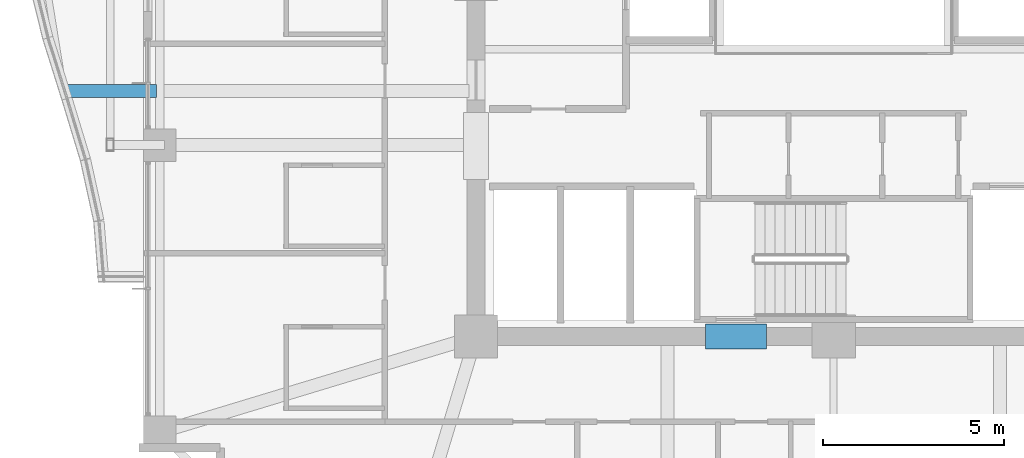
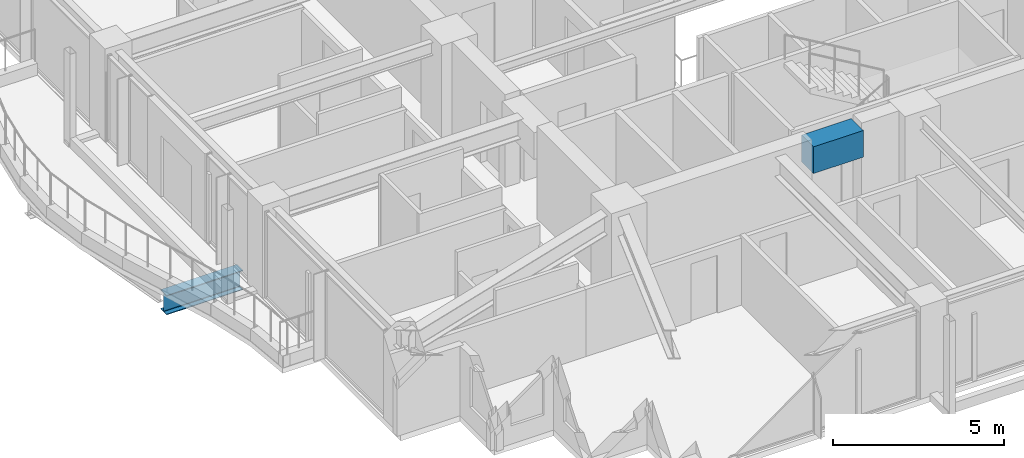
# One storey, part 8 of 37: 2 beams.
"""IFC4 building model written with IfcOpenShell, lengths in metres."""

from ifc_helpers import new_model, si_unit, direction, frame, origin, origin_2d, place, context, subcontext, project, spatial, rectangle, i_section, extrude, material, material_profile, profile_set, type_object, element, save


model = new_model("IFC4")

# Units and contexts
model_context = context("Model", 3, precision=1e-05, world=origin(), true_north=direction((0.0, 1.0)))
body_context = subcontext(model_context, "Body", "Model", "MODEL_VIEW")
ifc_project = project(units=[si_unit("LENGTHUNIT", "METRE"), si_unit("AREAUNIT", "SQUARE_METRE"), si_unit("VOLUMEUNIT", "CUBIC_METRE"), si_unit("PLANEANGLEUNIT", "RADIAN"), si_unit("MASSUNIT", "GRAM", prefix="KILO")], contexts=[model_context])

# Site, building, storey
site_placement = place(None, origin())
site = spatial("IfcSite", under=ifc_project, at=site_placement, CompositionType="ELEMENT")
building_placement = place(site_placement, origin())
building = spatial("IfcBuilding", under=site, at=building_placement, Name="Kolvaren Belvedere", CompositionType="ELEMENT")
storey_placement = place(building_placement, frame((0.0, 0.0, 156.89990234375)))
storey = spatial("IfcBuildingStorey", under=building, at=storey_placement, Name="L45", CompositionType="ELEMENT", Elevation=156.89990234375)

# Beams
ifc_material_1 = material(Name="Structural steel ASTM A992 Grade 50", Category="steel")
ifc_material_profile_1 = material_profile(ifc_material_1, i_section(OverallWidth=0.35498046875, OverallDepth=0.696044921875, WebThickness=0.015380859375, FlangeThickness=0.02490234375, FilletRadius=0.02197265625, at=origin_2d()), Name="W27X146")
ifc_profile_set_1 = profile_set([ifc_material_profile_1], Name="Structural steel ASTM A992 Grade 50")
beam_type_1 = type_object("IfcBeamType", Name="BM-CANT-BAL", PredefinedType="BEAM", material=ifc_profile_set_1)
beam_1_placement = place(storey_placement, frame((-18.7451171875, -3.10009765625, -0.5478515625), z_axis=(-1.0, 0.0, 0.0), x_axis=(0.0, -1.0, 0.0)))
element("IfcBeam", 1, at=beam_1_placement, inside=storey, type_object=beam_type_1, Name="L45 Planted Balcony Cantilever BAL-W-1", PredefinedType="BEAM", context=body_context, shape_type="SweptSolid", body=[
    extrude(i_section(OverallWidth=0.35498046875, OverallDepth=0.696044921875, WebThickness=0.015380859375, FlangeThickness=0.02490234375, FilletRadius=0.02197265625, at=origin_2d()), origin(), (0.0, 0.0, 1.0), 2.568603515625),
])
ifc_material_2 = material(Name="Concrete C60/75", Category="concrete")
ifc_material_profile_2 = material_profile(ifc_material_2, rectangle(XDim=0.699951171875, YDim=0.949951171875, at=origin_2d()), Name="RC 700X950")
ifc_profile_set_2 = profile_set([ifc_material_profile_2], Name="Concrete C60/75")
beam_type_2 = type_object("IfcBeamType", Name="BM-LINT-950", PredefinedType="LINTEL", material=ifc_profile_set_2)
beam_2_placement = place(storey_placement, frame((-3.5400390625, -9.89990234375, 2.625), z_axis=(1.0, 0.0, 0.0), x_axis=(0.0, 1.0, 0.0)))
element("IfcBeam", 2, at=beam_2_placement, inside=storey, type_object=beam_type_2, Name="L45 South Core Coupling Lintel", PredefinedType="LINTEL", context=body_context, shape_type="SweptSolid", body=[
    extrude(rectangle(XDim=0.699951171875, YDim=0.949951171875, at=origin_2d()), origin(), (0.0, 0.0, 1.0), 1.679931640625),
])

save(model, "model.ifc")
